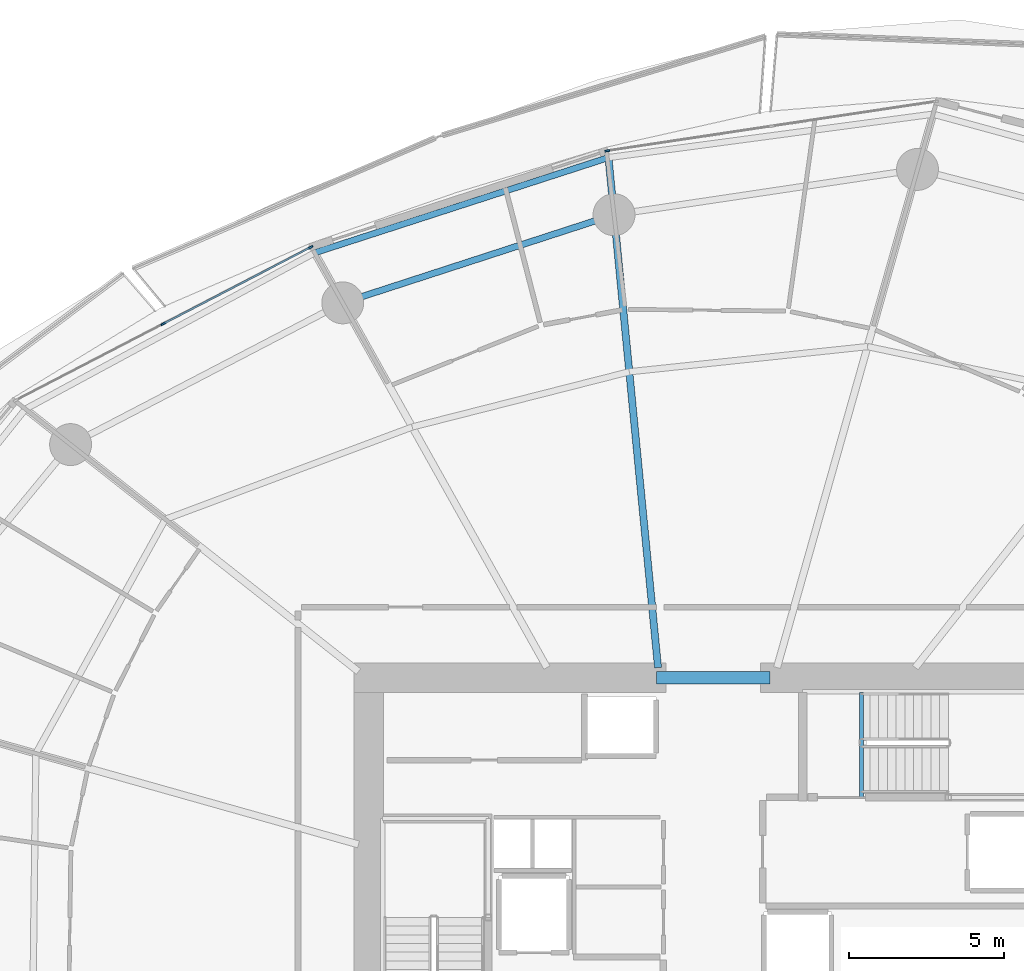
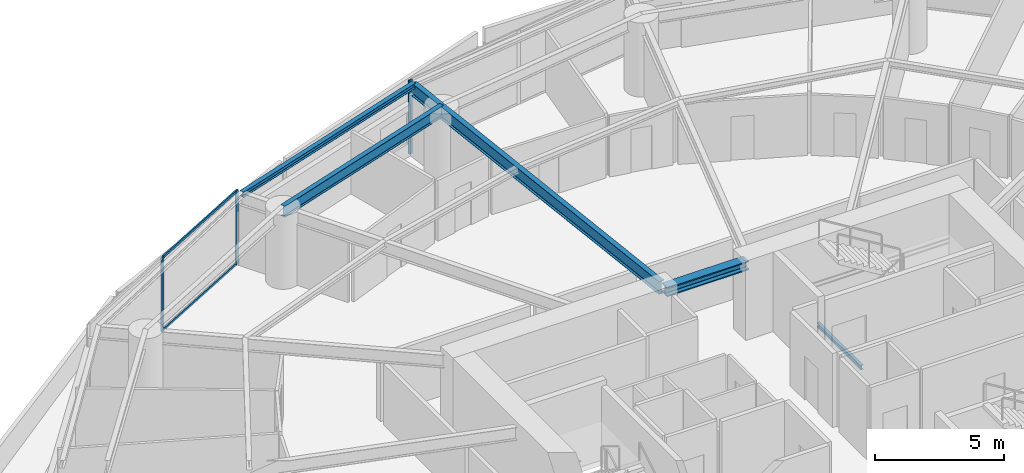
# One storey, part 13 of 31: 5 beams, 5 members, 2 elements without a shape of their own.
"""IFC4 building model written with IfcOpenShell, lengths in metres."""

from ifc_helpers import new_model, si_unit, direction, frame, origin, origin_2d, place, context, subcontext, project, spatial, rectangle, i_section, extrude, material, layer, layer_set, material_profile, profile_set, type_object, element, aggregate, save


model = new_model("IFC4")

# Units and contexts
model_context = context("Model", 3, precision=1e-05, world=origin(), true_north=direction((0.0, 1.0)))
body_context = subcontext(model_context, "Body", "Model", "MODEL_VIEW")
ifc_project = project(units=[si_unit("LENGTHUNIT", "METRE"), si_unit("AREAUNIT", "SQUARE_METRE"), si_unit("VOLUMEUNIT", "CUBIC_METRE"), si_unit("PLANEANGLEUNIT", "RADIAN"), si_unit("MASSUNIT", "GRAM", prefix="KILO")], contexts=[model_context])

# Site, building, storey
site_placement = place(None, origin())
site = spatial("IfcSite", under=ifc_project, at=site_placement, CompositionType="ELEMENT")
building_placement = place(site_placement, origin())
building = spatial("IfcBuilding", under=site, at=building_placement, Name="Kazma Halo Residences", CompositionType="ELEMENT")
storey_placement = place(building_placement, frame((0.0, 0.0, 37.64990234375)))
storey = spatial("IfcBuildingStorey", under=building, at=storey_placement, Name="L08", CompositionType="ELEMENT", Elevation=37.64990234375)

# Beams
ifc_material_1 = material(Name="Steel S355", Category="steel")
ifc_material_profile_1 = material_profile(ifc_material_1, i_section(OverallWidth=0.201904296875, OverallDepth=0.2470703125, WebThickness=0.00732421875, FlangeThickness=0.010986328125, FilletRadius=0.011962890625, at=origin_2d()), Name="W250x49.1")
ifc_profile_set_1 = profile_set([ifc_material_profile_1], Name="Steel S355")
beam_type_1 = type_object("IfcBeamType", Name="BM-BAL-CANT", PredefinedType="BEAM", material=ifc_profile_set_1)
beam_1_placement = place(storey_placement, frame((45.052734375, 67.230712890625, 3.376708984375), z_axis=(-0.951307246639, -0.308244257842, 0.0), x_axis=(0.308244257842, -0.951307246639, 0.0)))
element("IfcBeam", 1, at=beam_1_placement, inside=storey, type_object=beam_type_1, Name="L08 wave-balcony tie beam 04", PredefinedType="BEAM", context=body_context, shape_type="SweptSolid", body=[
    extrude(i_section(OverallWidth=0.201904296875, OverallDepth=0.2470703125, WebThickness=0.00732421875, FlangeThickness=0.010986328125, FilletRadius=0.011962890625, at=origin_2d()), origin(), (0.0, 0.0, 1.0), 9.949462890625),
])
ifc_material_profile_2 = material_profile(ifc_material_1, i_section(OverallWidth=0.408935546875, OverallDepth=0.425048828125, WebThickness=0.03271484375, FlangeThickness=0.052490234375, FilletRadius=0.02001953125, at=origin_2d()), Name="W360x421")
ifc_profile_set_2 = profile_set([ifc_material_profile_2], Name="Steel S355")
beam_type_2 = type_object("IfcBeamType", Name="BM-CORE-W360H", PredefinedType="BEAM", material=ifc_profile_set_2)
beam_2_placement = place(storey_placement, frame((46.60009765625, 50.47509765625, 3.28759765625), z_axis=(1.0, 0.0, 0.0), x_axis=(0.0, 1.0, 0.0)))
element("IfcBeam", 2, at=beam_2_placement, inside=storey, type_object=beam_type_2, Name="L08 core coupling beam N", PredefinedType="BEAM", context=body_context, shape_type="SweptSolid", body=[
    extrude(i_section(OverallWidth=0.408935546875, OverallDepth=0.425048828125, WebThickness=0.03271484375, FlangeThickness=0.052490234375, FilletRadius=0.02001953125, at=origin_2d()), origin(), (0.0, 0.0, 1.0), 3.64990234375),
])
ifc_material_profile_3 = material_profile(ifc_material_1, i_section(OverallWidth=0.22802734375, OverallDepth=0.60791015625, WebThickness=0.01123046875, FlangeThickness=0.017333984375, FilletRadius=0.01806640625, at=origin_2d()), Name="W610x113")
ifc_profile_set_3 = profile_set([ifc_material_profile_3], Name="Steel S355")
beam_type_3 = type_object("IfcBeamType", Name="BM-RAD-W610", PredefinedType="BEAM", material=ifc_profile_set_3)
beam_3_placement = place(storey_placement, frame((46.64990234375, 50.800048828125, 3.196044921875), z_axis=(-0.096750509471, 0.995308665147, 0.0), x_axis=(-0.995308665147, -0.096750509471, 0.0)))
element("IfcBeam", 3, at=beam_3_placement, inside=storey, type_object=beam_type_3, Name="L08 radial floor beam 04", PredefinedType="BEAM", context=body_context, shape_type="SweptSolid", body=[
    extrude(i_section(OverallWidth=0.22802734375, OverallDepth=0.60791015625, WebThickness=0.01123046875, FlangeThickness=0.017333984375, FilletRadius=0.01806640625, at=origin_2d()), origin(), (0.0, 0.0, 1.0), 16.508056640625),
])
ifc_material_profile_4 = material_profile(ifc_material_1, i_section(OverallWidth=0.208984375, OverallDepth=0.532958984375, WebThickness=0.01025390625, FlangeThickness=0.015625, FilletRadius=0.01611328125, at=origin_2d()), Name="W530x92")
ifc_profile_set_4 = profile_set([ifc_material_profile_4], Name="Steel S355")
beam_type_4 = type_object("IfcBeamType", Name="BM-SPN-W530", PredefinedType="BEAM", material=ifc_profile_set_4)
beam_4_placement = place(storey_placement, frame((45.231689453125, 65.389404296875, 3.233642578125), z_axis=(-0.951054956346, -0.309021795363, 0.0), x_axis=(0.309021795363, -0.951054956346, 0.0)))
element("IfcBeam", 4, at=beam_4_placement, inside=storey, type_object=beam_type_4, Name="L08 perimeter ring beam 04", PredefinedType="BEAM", context=body_context, shape_type="SweptSolid", body=[
    extrude(i_section(OverallWidth=0.208984375, OverallDepth=0.532958984375, WebThickness=0.01025390625, FlangeThickness=0.015625, FilletRadius=0.01611328125, at=origin_2d()), origin(), (0.0, 0.0, 1.0), 9.189697265625),
])
ifc_material_profile_5 = material_profile(ifc_material_1, i_section(OverallWidth=0.133056640625, OverallDepth=0.20703125, WebThickness=0.005859375, FlangeThickness=0.00830078125, FilletRadius=0.010009765625, at=origin_2d()), Name="W200x26.6")
ifc_profile_set_5 = profile_set([ifc_material_profile_5], Name="Steel S355")
beam_type_5 = type_object("IfcBeamType", Name="BM-TRIM-W200", PredefinedType="BEAM", material=ifc_profile_set_5)
beam_5_placement = place(storey_placement, frame((53.199951171875, 46.6201171875, -0.35986328125), z_axis=(0.0, 1.0, 0.0), x_axis=(-1.0, 0.0, 0.0)))
element("IfcBeam", 5, at=beam_5_placement, inside=storey, type_object=beam_type_5, Name="L08 ST-02 floor landing support beam", PredefinedType="BEAM", context=body_context, shape_type="SweptSolid", body=[
    extrude(i_section(OverallWidth=0.133056640625, OverallDepth=0.20703125, WebThickness=0.005859375, FlangeThickness=0.00830078125, FilletRadius=0.010009765625, at=origin_2d()), origin(), (0.0, 0.0, 1.0), 3.3798828125),
])

# Curtain wall, member
ifc_material_2 = material(Name="Aluminium AW-6063 T6 and Triple-Silver Low-E Glass", Category="aluminium")
ifc_layer = layer(ifc_material_2, 0.159912109375)
ifc_layer_set = layer_set([ifc_layer], Name="Aluminium AW-6063 T6 and Triple-Silver Low-E Glass")
curtain_wall_type = type_object("IfcCurtainWallType", Name="CW-SYS-2", PredefinedType="NOTDEFINED", material=ifc_layer_set)
curtain_wall_1_placement = place(storey_placement, origin())
curtain_wall_1 = element("IfcCurtainWall", 6, at=curtain_wall_1_placement, inside=storey, type_object=curtain_wall_type, Name="L08 unitised curtain wall B03", PredefinedType="NOTDEFINED")
ifc_material_3 = material(Name="Aluminium AW-6063 T6", Category="aluminium")
ifc_material_profile_6 = material_profile(ifc_material_3, rectangle(XDim=0.06005859375, YDim=0.159912109375, at=origin_2d()), Name="CWM-60x160")
ifc_profile_set_6 = profile_set([ifc_material_profile_6], Name="Aluminium AW-6063 T6")
member_type_1 = type_object("IfcMemberType", Name="CW-SYS-2-MUL", PredefinedType="MULLION", material=ifc_profile_set_6)
member_1_placement = place(storey_placement, frame((45.018310546875, 67.447509765625, 0.0), z_axis=(0.0, 0.0, 1.0), x_axis=(0.148657272805, -0.988888777994, 0.0)))
member_1 = element("IfcMember", 7, at=member_1_placement, type_object=member_type_1, Name="CWS-2 mullion 3", PredefinedType="MULLION", context=body_context, shape_type="SweptSolid", body=[
    extrude(rectangle(XDim=0.06005859375, YDim=0.159912109375, at=origin_2d()), origin(), (0.0, 0.0, 1.0), 3.5),
])
aggregate(curtain_wall_1, [member_1])

# Curtain wall, members
curtain_wall_2_placement = place(storey_placement, origin())
curtain_wall_2 = element("IfcCurtainWall", 8, at=curtain_wall_2_placement, inside=storey, type_object=curtain_wall_type, Name="L08 unitised curtain wall B05", PredefinedType="NOTDEFINED")
member_2_placement = place(storey_placement, frame((35.45458984375, 64.340087890625, 0.0), z_axis=(0.0, 0.0, 1.0), x_axis=(0.460995912628, -0.887402258584, 0.0)))
member_2 = element("IfcMember", 9, at=member_2_placement, type_object=member_type_1, Name="CWS-2 mullion 1", PredefinedType="MULLION", context=body_context, shape_type="SweptSolid", body=[
    extrude(rectangle(XDim=0.06005859375, YDim=0.159912109375, at=origin_2d()), origin(), (0.0, 0.0, 1.0), 3.5),
])
member_3_placement = place(storey_placement, frame((30.7080078125, 61.874267578125, 0.0), z_axis=(0.0, 0.0, 1.0), x_axis=(0.460995912628, -0.887402258584, 0.0)))
member_3 = element("IfcMember", 10, at=member_3_placement, type_object=member_type_1, Name="CWS-2 mullion 2", PredefinedType="MULLION", context=body_context, shape_type="SweptSolid", body=[
    extrude(rectangle(XDim=0.06005859375, YDim=0.159912109375, at=origin_2d()), origin(), (0.0, 0.0, 1.0), 3.5),
])
ifc_material_profile_7 = material_profile(ifc_material_3, rectangle(XDim=0.06005859375, YDim=0.1201171875, at=origin_2d()), Name="CWT-60x120")
ifc_profile_set_7 = profile_set([ifc_material_profile_7], Name="Aluminium AW-6063 T6")
member_type_2 = type_object("IfcMemberType", Name="CW-SYS-2-TRN", PredefinedType="USERDEFINED", material=ifc_profile_set_7)
member_4_placement = place(storey_placement, frame((35.427978515625, 64.326171875, 0.030029296875), z_axis=(-0.887414738583, -0.460971888238, 0.0), x_axis=(0.460971888238, -0.887414738583, 0.0)))
member_4 = element("IfcMember", 11, at=member_4_placement, type_object=member_type_2, Name="CWS-2 transom 1.1", ObjectType="TRANSOM", PredefinedType="USERDEFINED", context=body_context, shape_type="SweptSolid", body=[
    extrude(rectangle(XDim=0.06005859375, YDim=0.1201171875, at=origin_2d()), origin(), (0.0, 0.0, 1.0), 5.288818359375),
])
member_5_placement = place(storey_placement, frame((35.427978515625, 64.326171875, 3.47021484375), z_axis=(-0.887414738583, -0.460971888238, 0.0), x_axis=(0.460971888238, -0.887414738583, 0.0)))
member_5 = element("IfcMember", 12, at=member_5_placement, type_object=member_type_2, Name="CWS-2 transom 1.2", ObjectType="TRANSOM", PredefinedType="USERDEFINED", context=body_context, shape_type="SweptSolid", body=[
    extrude(rectangle(XDim=0.06005859375, YDim=0.1201171875, at=origin_2d()), origin(), (0.0, 0.0, 1.0), 5.288818359375),
])
aggregate(curtain_wall_2, [member_2, member_3, member_4, member_5])

save(model, "model.ifc")
